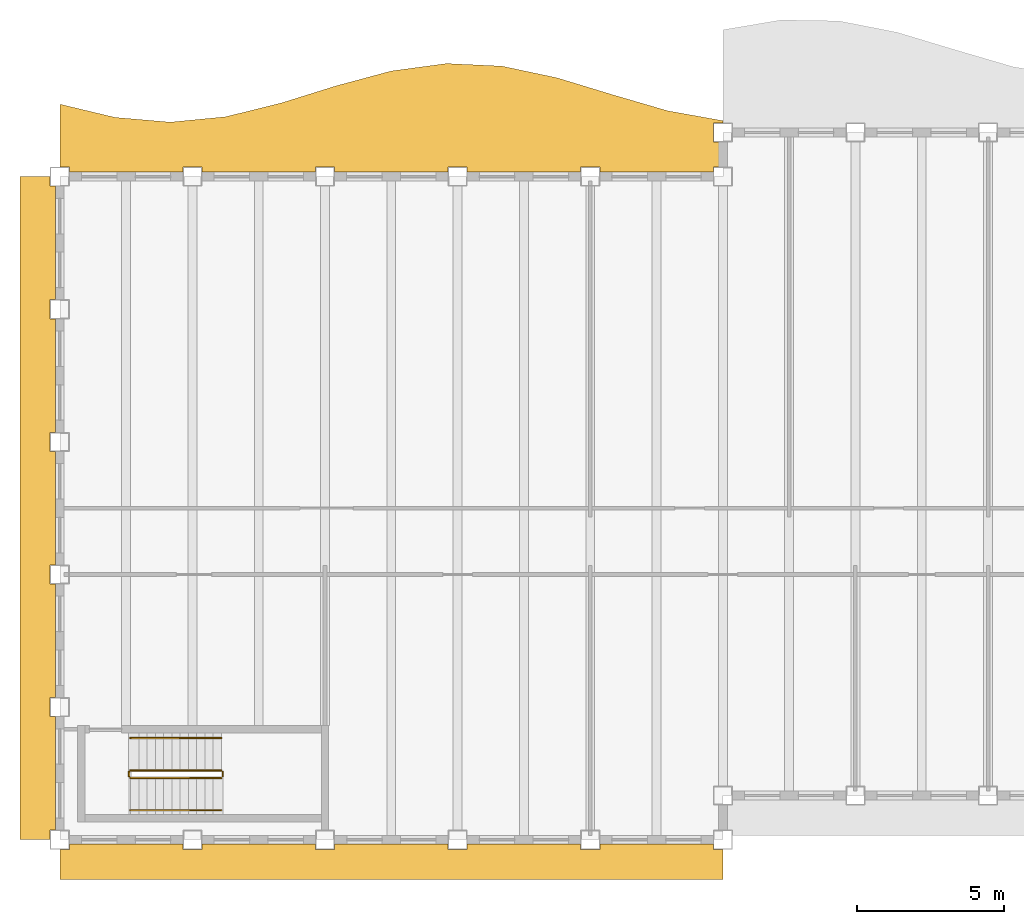
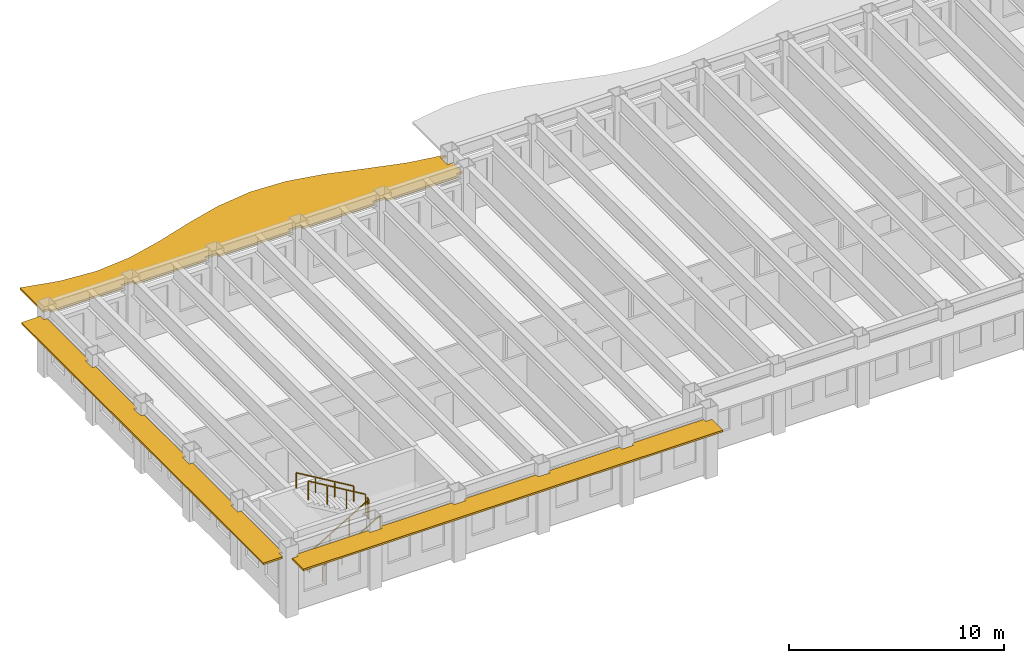
# One storey, part 8 of 12: 6 railings, 3 shading devices.
"""IFC4 building model written with IfcOpenShell, lengths in metres."""

import ifcopenshell
import ifcopenshell.guid

model = None  # the IFC model being written
_history = None  # IfcOwnerHistory: only IFC2X3 demands one
_inside = {}  # id of a spatial element -> (the spatial element, [elements in it])
_under = {}  # id of a project, library or spatial element -> (it, [spatial elements below it])
_declared = {}  # id of a project -> (the project, [libraries it declares])
_typed = {}  # id of a type object -> (the type object, [elements of that type])
_made_of = {}  # id of a material, layer set ... -> (it, [elements and type objects made of it])


def new_model(schema):
    """Start an empty IFC model of exactly this schema.

    Asked for "IFC4X3", IfcOpenShell would pick the latest addendum, in which some entities
    have other attributes; the version numbers below select the first issue.
    IFC2X3 requires an IfcOwnerHistory on every rooted entity: one is made here for all.
    """
    global model, _history
    if schema == "IFC4X3":
        model = ifcopenshell.file(schema_version=(4, 3, 0, 0))
    else:
        model = ifcopenshell.file(schema=schema)
    _inside.clear()
    _under.clear()
    _declared.clear()
    _typed.clear()
    _made_of.clear()
    _history = None
    if model.schema == "IFC2X3":
        org = make("IfcOrganization", Name="unknown")
        user = make(
            "IfcPersonAndOrganization",
            ThePerson=make("IfcPerson", FamilyName="unknown"),
            TheOrganization=org,
        )
        app = make(
            "IfcApplication",
            ApplicationDeveloper=org,
            Version="unknown",
            ApplicationFullName="unknown",
            ApplicationIdentifier="unknown",
        )
        _history = make(
            "IfcOwnerHistory",
            OwningUser=user,
            OwningApplication=app,
            ChangeAction="ADDED",
            CreationDate=0,
        )
    return model


def make(cls, **values):
    """One entity of the class cls with the attributes given. An attribute that is None is left unset."""
    return model.create_entity(
        cls, **{name: value for name, value in values.items() if value is not None}
    )


def rooted(cls, **values):
    """An entity with a GlobalId (a new one), such as an element, a storey or a relation."""
    return make(cls, GlobalId=ifcopenshell.guid.new(), OwnerHistory=_history, **values)


def si_unit(unit_type, name, prefix=None):
    """IfcSIUnit, for example si_unit("LENGTHUNIT", "METRE", prefix="MILLI")."""
    return make("IfcSIUnit", UnitType=unit_type, Prefix=prefix, Name=name)


def assignment(units):
    """IfcUnitAssignment: the units of a project."""
    return None if units is None else make("IfcUnitAssignment", Units=units)


def point(xyz):
    """IfcCartesianPoint."""
    return None if xyz is None else make("IfcCartesianPoint", Coordinates=xyz)


def direction(xyz):
    """IfcDirection."""
    return None if xyz is None else make("IfcDirection", DirectionRatios=xyz)


def frame(location, z_axis=None, x_axis=None):
    """IfcAxis2Placement3D, a coordinate frame: its origin and axes. An axis left out is left unset."""
    return make(
        "IfcAxis2Placement3D",
        Location=point(location),
        Axis=direction(z_axis),
        RefDirection=direction(x_axis),
    )


def frame_2d(location, x_axis=None):
    """IfcAxis2Placement2D, a coordinate frame in the plane: its origin and x axis."""
    return make(
        "IfcAxis2Placement2D", Location=point(location), RefDirection=direction(x_axis)
    )


def origin():
    """The frame at (0, 0, 0) with its axes left unset."""
    return frame((0.0, 0.0, 0.0))


def origin_2d():
    """The frame at (0, 0) in the plane with its x axis left unset."""
    return frame_2d((0.0, 0.0))


def place(relative_to, where):
    """IfcLocalPlacement: puts the frame where relative to a parent placement (None: the world)."""
    return make(
        "IfcLocalPlacement", PlacementRelTo=relative_to, RelativePlacement=where
    )


def context(
    kind, dimensions, precision=None, world=None, true_north=None, identifier=None
):
    """IfcGeometricRepresentationContext, for example the 3D "Model" context."""
    return make(
        "IfcGeometricRepresentationContext",
        ContextIdentifier=identifier,
        ContextType=kind,
        CoordinateSpaceDimension=dimensions,
        Precision=precision,
        WorldCoordinateSystem=world,
        TrueNorth=true_north,
    )


def subcontext(parent, identifier, kind, view, scale=None):
    """IfcGeometricRepresentationSubContext, for example "Body" below "Model"."""
    return make(
        "IfcGeometricRepresentationSubContext",
        ContextIdentifier=identifier,
        ContextType=kind,
        ParentContext=parent,
        TargetScale=scale,
        TargetView=view,
    )


def project(units=None, contexts=None):
    """IfcProject with its units and contexts."""
    return rooted(
        "IfcProject",
        Name="project",
        RepresentationContexts=contexts,
        UnitsInContext=assignment(units),
    )


def spatial(cls, under=None, at=None, **own):
    """A site, building, storey or space (cls), placed at a placement, below another one or the project."""
    s = rooted(cls, ObjectPlacement=at, **own)
    if under is not None:
        _under.setdefault(under.id(), (under, []))[1].append(s)
    return s


def polyline(points):
    """IfcPolyline through the points."""
    return make("IfcPolyline", Points=[point(p) for p in points])


def profile(cls, at=None, kind="AREA", **sizes):
    """A parametric profile (cls). Its sizes go by their IFC names, for example OverallWidth=200.0."""
    return make(cls, ProfileType=kind, Position=at, **sizes)


def rectangle(**sizes):
    """IfcRectangleProfileDef."""
    return profile("IfcRectangleProfileDef", **sizes)


def outline(outer, holes=None, kind="AREA"):
    """IfcArbitraryClosedProfileDef: a profile drawn as a closed curve; with holes, ...WithVoids."""
    if holes is None:
        return make("IfcArbitraryClosedProfileDef", ProfileType=kind, OuterCurve=outer)
    return make(
        "IfcArbitraryProfileDefWithVoids",
        ProfileType=kind,
        OuterCurve=outer,
        InnerCurves=holes,
    )


def extrude(swept, where, along, depth):
    """IfcExtrudedAreaSolid: the profile swept, set in the frame where, extruded along a direction by depth."""
    return make(
        "IfcExtrudedAreaSolid",
        SweptArea=swept,
        Position=where,
        ExtrudedDirection=direction(along),
        Depth=depth,
    )


def shape(context_of_items, identifier, shape_type, items):
    """IfcShapeRepresentation: the items that make up one representation, for example the "Body"."""
    return make(
        "IfcShapeRepresentation",
        ContextOfItems=context_of_items,
        RepresentationIdentifier=identifier,
        RepresentationType=shape_type,
        Items=items,
    )


def material(Name=None, Category=None):
    """IfcMaterial."""
    return make("IfcMaterial", Name=Name, Category=Category)


def layer(
    of_material, thickness, ventilated=None, Name=None, Category=None, Priority=None
):
    """IfcMaterialLayer: one layer of a wall or slab, of a material (None: an air gap)."""
    return make(
        "IfcMaterialLayer",
        Material=of_material,
        LayerThickness=thickness,
        IsVentilated=ventilated,
        Name=Name,
        Category=Category,
        Priority=Priority,
    )


def layer_set(layers, Name=None):
    """IfcMaterialLayerSet."""
    return make("IfcMaterialLayerSet", MaterialLayers=layers, LayerSetName=Name)


def made_of(thing, what):
    """Note that an element or type object is made of a material, layer set ...; save() writes the relation."""
    if what is not None:
        _made_of.setdefault(what.id(), (what, []))[1].append(thing)
    return thing


def type_object(cls, material=None, **own):
    """A type object (cls), such as IfcWallType, which elements share."""
    return made_of(rooted(cls, **own), material)


def element(
    cls,
    number,
    at=None,
    inside=None,
    cuts=None,
    type_object=None,
    material=None,
    context=None,
    identifier="Body",
    shape_type=None,
    held_by="IfcProductDefinitionShape",
    body=None,
    shapes=None,
    **own,
):
    """One element of the class cls, such as IfcWall. Its Tag is "e" and its number.

    at: its placement. inside: the storey or other place that contains it. cuts: it is an
    opening in that element (IfcRelVoidsElement). A single representation is given by context,
    identifier, shape_type and body (its items); several are given by shapes. held_by: the class
    of the entity that holds the representations. save() writes the other relations.
    """
    e = rooted(cls, Tag="e%d" % number, ObjectPlacement=at, **own)
    if body is not None:
        shapes = [shape(context, identifier, shape_type, body)]
    if shapes is not None:
        e.Representation = make(held_by, Representations=shapes)
    if inside is not None:
        _inside.setdefault(inside.id(), (inside, []))[1].append(e)
    if cuts is not None:
        rooted(
            "IfcRelVoidsElement", RelatingBuildingElement=cuts, RelatedOpeningElement=e
        )
    if type_object is not None:
        _typed.setdefault(type_object.id(), (type_object, []))[1].append(e)
    return made_of(e, material)


def aggregate(whole, parts):
    """IfcRelAggregates: a whole, such as a stair, and the parts it consists of."""
    return rooted("IfcRelAggregates", RelatingObject=whole, RelatedObjects=parts)


def save(model, path):
    """Write the relations noted so far, then the file.

    IfcRelAggregates (storeys below a building ...), IfcRelContainedInSpatialStructure (elements
    in a storey), IfcRelDefinesByType, IfcRelAssociatesMaterial and IfcRelDeclares: one each for
    every whole, place, type object, material and project.
    """
    for whole, parts in _under.values():
        aggregate(whole, parts)
    for where, things in _inside.values():
        rooted(
            "IfcRelContainedInSpatialStructure",
            RelatedElements=things,
            RelatingStructure=where,
        )
    for kind, things in _typed.values():
        rooted("IfcRelDefinesByType", RelatedObjects=things, RelatingType=kind)
    for what, things in _made_of.values():
        rooted("IfcRelAssociatesMaterial", RelatedObjects=things, RelatingMaterial=what)
    for by, libraries in _declared.values():
        rooted("IfcRelDeclares", RelatingContext=by, RelatedDefinitions=libraries)
    model.write(path)


model = new_model("IFC4")

# Units and contexts
model_context = context("Model", 3, precision=1e-05, world=origin(), true_north=direction((0.0, 1.0)))
body_context = subcontext(model_context, "Body", "Model", "MODEL_VIEW")
ifc_project = project(units=[si_unit("LENGTHUNIT", "METRE"), si_unit("AREAUNIT", "SQUARE_METRE"), si_unit("VOLUMEUNIT", "CUBIC_METRE"), si_unit("PLANEANGLEUNIT", "RADIAN"), si_unit("MASSUNIT", "GRAM", prefix="KILO")], contexts=[model_context])

# Site, building, storey
site_placement = place(None, origin())
site = spatial("IfcSite", under=ifc_project, at=site_placement, CompositionType="ELEMENT")
building_placement = place(site_placement, origin())
building = spatial("IfcBuilding", under=site, at=building_placement, Name="Sennacour Bend Tower", CompositionType="ELEMENT")
storey_placement = place(building_placement, frame((0.0, 0.0, 257.0)))
storey = spatial("IfcBuildingStorey", under=building, at=storey_placement, Name="L59", CompositionType="ELEMENT", Elevation=257.0)

# Railings
ifc_material_1 = material(Name="Stainless steel", Category="steel")
railing_type_1 = type_object("IfcRailingType", Name="RL-GUARD-1100", PredefinedType="GUARDRAIL", material=ifc_material_1)
railing_1_placement = place(storey_placement, frame((2.39990234375, 2.10009765625, 0.166748046875)))
element("IfcRailing", 1, at=railing_1_placement, inside=storey, type_object=railing_type_1, Name="L59 SK1 stair guard 1", PredefinedType="GUARDRAIL", context=body_context, shape_type="SweptSolid", body=[
    extrude(rectangle(XDim=0.048095703125, YDim=0.048095703125, at=origin_2d()), frame((0.0, 0.0, 1.076171875), z_axis=(0.859308565015, 0.0, 0.511457515432), x_axis=(0.0, 1.0, 0.0)), (0.0, 0.0, 1.0), 3.58447265625),
    extrude(rectangle(XDim=0.0419921875, YDim=0.0419921875, at=origin_2d()), origin(), (0.0, 0.0, 1.0), 1.052001953125),
    extrude(rectangle(XDim=0.0419921875, YDim=0.0419921875, at=origin_2d()), frame((1.026611328125, 0.0, 0.611083984375)), (0.0, 0.0, 1.0), 1.052001953125),
    extrude(rectangle(XDim=0.0419921875, YDim=0.0419921875, at=origin_2d()), frame((2.053466796875, 0.0, 1.22216796875)), (0.0, 0.0, 1.0), 1.052001953125),
    extrude(rectangle(XDim=0.0419921875, YDim=0.0419921875, at=origin_2d()), frame((3.080078125, 0.0, 1.833251953125)), (0.0, 0.0, 1.0), 1.052001953125),
])
railing_2_placement = place(storey_placement, frame((5.530029296875, 2.14990234375, 2.0)))
element("IfcRailing", 2, at=railing_2_placement, inside=storey, type_object=railing_type_1, Name="L59 SK1 stair guard 2", PredefinedType="GUARDRAIL", context=body_context, shape_type="SweptSolid", body=[
    extrude(rectangle(XDim=0.048095703125, YDim=0.048095703125, at=origin_2d()), frame((0.0, 0.0, 1.076171875), z_axis=(0.0, 1.0, 0.0), x_axis=(-1.0, 0.0, 0.0)), (0.0, 0.0, 1.0), 0.150146484375),
    extrude(rectangle(XDim=0.0419921875, YDim=0.0419921875, at=origin_2d()), origin(), (0.0, 0.0, 1.0), 1.052001953125),
    extrude(rectangle(XDim=0.0419921875, YDim=0.0419921875, at=origin_2d()), frame((0.0, 0.150146484375, 0.0)), (0.0, 0.0, 1.0), 1.052001953125),
])
railing_3_placement = place(storey_placement, frame((5.47998046875, 2.35009765625, 2.166748046875)))
element("IfcRailing", 3, at=railing_3_placement, inside=storey, type_object=railing_type_1, Name="L59 SK1 stair guard 3", PredefinedType="GUARDRAIL", context=body_context, shape_type="SweptSolid", body=[
    extrude(rectangle(XDim=0.048095703125, YDim=0.048095703125, at=origin_2d()), frame((0.0, 0.0, 1.076171875), z_axis=(-0.859308565015, 0.0, 0.511457515432), x_axis=(0.0, -1.0, 0.0)), (0.0, 0.0, 1.0), 3.58447265625),
    extrude(rectangle(XDim=0.0419921875, YDim=0.0419921875, at=origin_2d()), origin(), (0.0, 0.0, 1.0), 1.052001953125),
    extrude(rectangle(XDim=0.0419921875, YDim=0.0419921875, at=origin_2d()), frame((-1.026611328125, 0.0, 0.611083984375)), (0.0, 0.0, 1.0), 1.052001953125),
    extrude(rectangle(XDim=0.0419921875, YDim=0.0419921875, at=origin_2d()), frame((-2.053466796875, 0.0, 1.22216796875)), (0.0, 0.0, 1.0), 1.052001953125),
    extrude(rectangle(XDim=0.0419921875, YDim=0.0419921875, at=origin_2d()), frame((-3.080078125, 0.0, 1.833251953125)), (0.0, 0.0, 1.0), 1.052001953125),
])
railing_4_placement = place(storey_placement, frame((2.35009765625, 2.14990234375, 0.0)))
element("IfcRailing", 4, at=railing_4_placement, inside=storey, type_object=railing_type_1, Name="L59 SK1 stair guard 4", PredefinedType="GUARDRAIL", context=body_context, shape_type="SweptSolid", body=[
    extrude(rectangle(XDim=0.048095703125, YDim=0.048095703125, at=origin_2d()), frame((0.0, 0.0, 1.076171875), z_axis=(0.0, 1.0, 0.0), x_axis=(-1.0, 0.0, 0.0)), (0.0, 0.0, 1.0), 0.150146484375),
    extrude(rectangle(XDim=0.0419921875, YDim=0.0419921875, at=origin_2d()), origin(), (0.0, 0.0, 1.0), 1.052001953125),
    extrude(rectangle(XDim=0.0419921875, YDim=0.0419921875, at=origin_2d()), frame((0.0, 0.150146484375, 0.0)), (0.0, 0.0, 1.0), 1.052001953125),
])
railing_type_2 = type_object("IfcRailingType", Name="RL-HANDRAIL-900", PredefinedType="HANDRAIL", material=ifc_material_1)
railing_5_placement = place(storey_placement, frame((2.39990234375, 1.0, 0.166748046875)))
element("IfcRailing", 5, at=railing_5_placement, inside=storey, type_object=railing_type_2, Name="L59 SK1 stair handrail 1", PredefinedType="HANDRAIL", context=body_context, shape_type="SweptSolid", body=[
    extrude(rectangle(XDim=0.048095703125, YDim=0.048095703125, at=origin_2d()), frame((0.0, 0.0, 0.8759765625), z_axis=(0.859308565015, 0.0, 0.511457515432), x_axis=(0.0, 1.0, 0.0)), (0.0, 0.0, 1.0), 3.58447265625),
    extrude(rectangle(XDim=0.0419921875, YDim=0.0419921875, at=origin_2d()), origin(), (0.0, 0.0, 1.0), 0.851806640625),
    extrude(rectangle(XDim=0.0419921875, YDim=0.0419921875, at=origin_2d()), frame((1.026611328125, 0.0, 0.611083984375)), (0.0, 0.0, 1.0), 0.851806640625),
    extrude(rectangle(XDim=0.0419921875, YDim=0.0419921875, at=origin_2d()), frame((2.053466796875, 0.0, 1.22216796875)), (0.0, 0.0, 1.0), 0.851806640625),
    extrude(rectangle(XDim=0.0419921875, YDim=0.0419921875, at=origin_2d()), frame((3.080078125, 0.0, 1.833251953125)), (0.0, 0.0, 1.0), 0.851806640625),
])
railing_6_placement = place(storey_placement, frame((5.47998046875, 3.449951171875, 2.166748046875)))
element("IfcRailing", 6, at=railing_6_placement, inside=storey, type_object=railing_type_2, Name="L59 SK1 stair handrail 2", PredefinedType="HANDRAIL", context=body_context, shape_type="SweptSolid", body=[
    extrude(rectangle(XDim=0.048095703125, YDim=0.048095703125, at=origin_2d()), frame((0.0, 0.0, 0.8759765625), z_axis=(-0.859308565015, 0.0, 0.511457515432), x_axis=(0.0, -1.0, 0.0)), (0.0, 0.0, 1.0), 3.58447265625),
    extrude(rectangle(XDim=0.0419921875, YDim=0.0419921875, at=origin_2d()), origin(), (0.0, 0.0, 1.0), 0.851806640625),
    extrude(rectangle(XDim=0.0419921875, YDim=0.0419921875, at=origin_2d()), frame((-1.026611328125, 0.0, 0.611083984375)), (0.0, 0.0, 1.0), 0.851806640625),
    extrude(rectangle(XDim=0.0419921875, YDim=0.0419921875, at=origin_2d()), frame((-2.053466796875, 0.0, 1.22216796875)), (0.0, 0.0, 1.0), 0.851806640625),
    extrude(rectangle(XDim=0.0419921875, YDim=0.0419921875, at=origin_2d()), frame((-3.080078125, 0.0, 1.833251953125)), (0.0, 0.0, 1.0), 0.851806640625),
])

# Shading devices
ifc_material_2 = material(Name="Bronze anodised aluminium", Category="aluminium")
ifc_layer_1 = layer(ifc_material_2, 0.10009765625, Name="Bronze anodised aluminium", Category="aluminium")
ifc_layer_set_1 = layer_set([ifc_layer_1], Name="Bronze anodised aluminium")
shading_device_type_1 = type_object("IfcShadingDeviceType", Name="SUNSHADE BAND STRAIGHT", PredefinedType="USERDEFINED", material=ifc_layer_set_1)
shading_device_1_placement = place(storey_placement, frame((0.0, 0.0, 3.06201171875)))
element("IfcShadingDevice", 7, at=shading_device_1_placement, inside=storey, type_object=shading_device_type_1, Name="Sunshade band L59 K outer face", ObjectType="SUNSHADE", PredefinedType="USERDEFINED", context=body_context, shape_type="SweptSolid", body=[
    extrude(outline(polyline([(-0.14990234375, 18.324951171875), (-0.324951171875, 18.324951171875), (-0.324951171875, 17.675048828125), (-0.14990234375, 17.675048828125), (-0.14990234375, 13.824951171875), (-0.324951171875, 13.824951171875), (-0.324951171875, 13.175048828125), (-0.14990234375, 13.175048828125), (-0.14990234375, 9.324951171875), (-0.324951171875, 9.324951171875), (-0.324951171875, 8.675048828125), (-0.14990234375, 8.675048828125), (-0.14990234375, 4.824951171875), (-0.324951171875, 4.824951171875), (-0.324951171875, 4.175048828125), (-0.14990234375, 4.175048828125), (-0.14990234375, 0.324951171875), (-0.324951171875, 0.324951171875), (-0.324951171875, 0.0), (-1.35009765625, 0.0), (-1.35009765625, 22.5), (-0.324951171875, 22.5), (-0.324951171875, 22.175048828125), (-0.14990234375, 22.175048828125), (-0.14990234375, 18.324951171875)])), origin(), (0.0, 0.0, 1.0), 0.10009765625),
])
shading_device_2_placement = place(storey_placement, frame((0.0, 0.0, 3.06201171875)))
element("IfcShadingDevice", 8, at=shading_device_2_placement, inside=storey, type_object=shading_device_type_1, Name="Sunshade band L59 K outer face", ObjectType="SUNSHADE", PredefinedType="USERDEFINED", context=body_context, shape_type="SweptSolid", body=[
    extrude(outline(polyline([(4.175048828125, -0.14990234375), (4.175048828125, -0.324951171875), (4.824951171875, -0.324951171875), (4.824951171875, -0.14990234375), (8.675048828125, -0.14990234375), (8.675048828125, -0.324951171875), (9.324951171875, -0.324951171875), (9.324951171875, -0.14990234375), (13.175048828125, -0.14990234375), (13.175048828125, -0.324951171875), (13.824951171875, -0.324951171875), (13.824951171875, -0.14990234375), (17.675048828125, -0.14990234375), (17.675048828125, -0.324951171875), (18.324951171875, -0.324951171875), (18.324951171875, -0.14990234375), (22.175048828125, -0.14990234375), (22.175048828125, -0.324951171875), (22.5, -0.324951171875), (22.5, -1.35009765625), (0.0, -1.35009765625), (0.0, -0.324951171875), (0.324951171875, -0.324951171875), (0.324951171875, -0.14990234375), (4.175048828125, -0.14990234375)])), origin(), (0.0, 0.0, 1.0), 0.10009765625),
])
ifc_layer_2 = layer(ifc_material_2, 0.1201171875, Name="Bronze anodised aluminium", Category="aluminium")
ifc_layer_set_2 = layer_set([ifc_layer_2], Name="Bronze anodised aluminium")
shading_device_type_2 = type_object("IfcShadingDeviceType", Name="SUNSHADE BAND WAVE", PredefinedType="USERDEFINED", material=ifc_layer_set_2)
shading_device_3_placement = place(storey_placement, frame((0.0, 0.0, 3.0419921875)))
element("IfcShadingDevice", 9, at=shading_device_3_placement, inside=storey, type_object=shading_device_type_2, Name="Sunshade band L59 concave faces", ObjectType="SUNSHADE", PredefinedType="USERDEFINED", context=body_context, shape_type="SweptSolid", body=[
    extrude(outline(polyline([(22.175048828125, 22.64990234375), (18.324951171875, 22.64990234375), (18.324951171875, 22.824951171875), (17.675048828125, 22.824951171875), (17.675048828125, 22.64990234375), (13.824951171875, 22.64990234375), (13.824951171875, 22.824951171875), (13.175048828125, 22.824951171875), (13.175048828125, 22.64990234375), (9.324951171875, 22.64990234375), (9.324951171875, 22.824951171875), (8.675048828125, 22.824951171875), (8.675048828125, 22.64990234375), (4.824951171875, 22.64990234375), (4.824951171875, 22.824951171875), (4.175048828125, 22.824951171875), (4.175048828125, 22.64990234375), (0.324951171875, 22.64990234375), (0.324951171875, 22.824951171875), (0.0, 22.824951171875), (0.0, 24.960693359375), (1.875, 24.51123046875), (3.75, 24.35009765625), (5.625, 24.53271484375), (7.5, 24.99609375), (9.375, 25.5810546875), (11.25, 26.086669921875), (13.125, 26.339111328125), (15.0, 26.251708984375), (16.875, 25.85400390625), (18.75, 25.283447265625), (20.625, 24.735595703125), (22.5, 24.39892578125), (22.5, 24.324951171875), (22.175048828125, 24.324951171875), (22.175048828125, 23.675048828125), (22.5, 23.675048828125), (22.5, 22.824951171875), (22.175048828125, 22.824951171875), (22.175048828125, 22.64990234375)])), origin(), (0.0, 0.0, 1.0), 0.1201171875),
])

save(model, "model.ifc")
